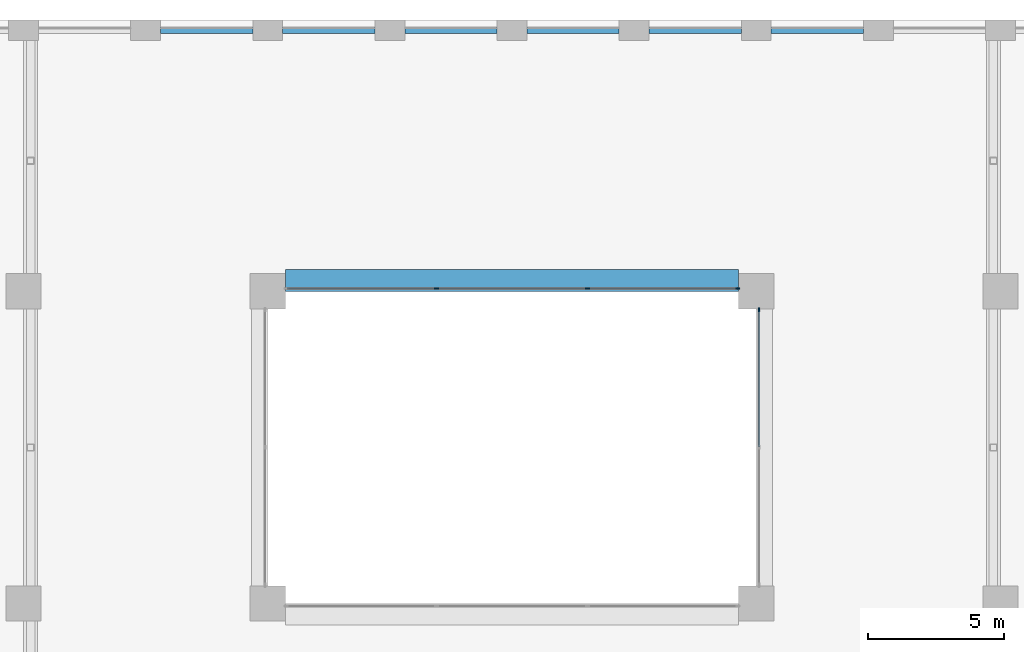
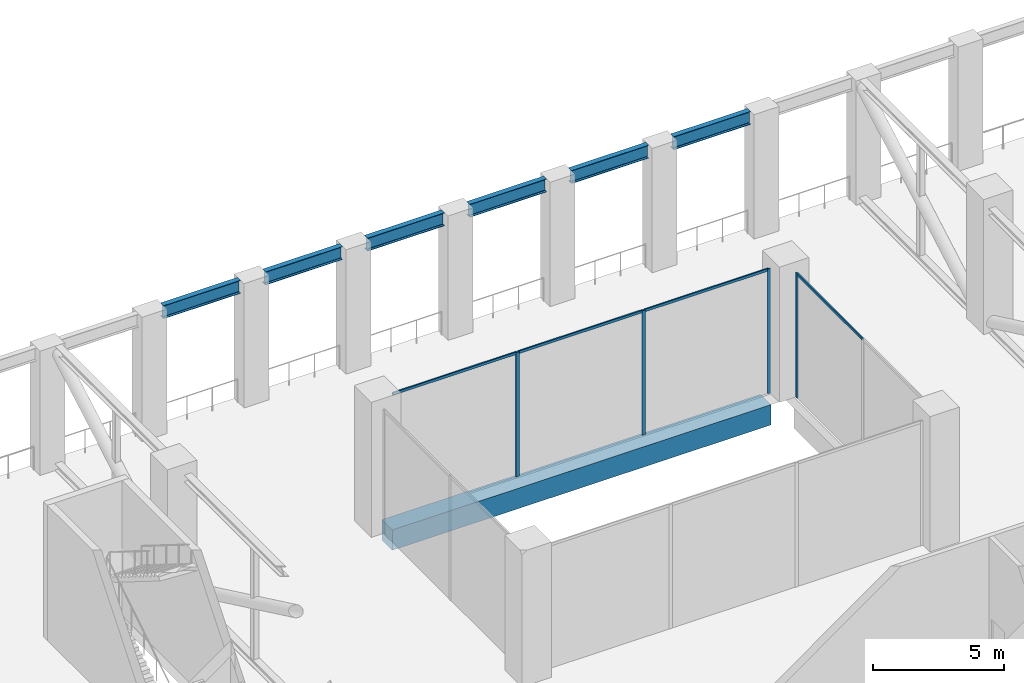
# One storey, part 7 of 14: 8 members, 7 beams, 2 elements without a shape of their own.
"""IFC4 building model written with IfcOpenShell, lengths in metres."""

from ifc_helpers import new_model, si_unit, direction, frame, origin, origin_2d, place, context, subcontext, project, spatial, rectangle, i_section, extrude, material, layer, layer_set, material_profile, profile_set, type_object, element, aggregate, save


model = new_model("IFC4")

# Units and contexts
model_context = context("Model", 3, precision=1e-05, world=origin(), true_north=direction((0.0, 1.0)))
body_context = subcontext(model_context, "Body", "Model", "MODEL_VIEW")
ifc_project = project(units=[si_unit("LENGTHUNIT", "METRE"), si_unit("AREAUNIT", "SQUARE_METRE"), si_unit("VOLUMEUNIT", "CUBIC_METRE"), si_unit("PLANEANGLEUNIT", "RADIAN"), si_unit("MASSUNIT", "GRAM", prefix="KILO")], contexts=[model_context])

# Site, building, storey
site_placement = place(None, origin())
site = spatial("IfcSite", under=ifc_project, at=site_placement, CompositionType="ELEMENT")
building_placement = place(site_placement, origin())
building = spatial("IfcBuilding", under=site, at=building_placement, Name="Brigalow Station Residences", CompositionType="ELEMENT")
storey_placement = place(building_placement, frame((0.0, 0.0, 130.800048828125)))
storey = spatial("IfcBuildingStorey", under=building, at=storey_placement, Name="L38", CompositionType="ELEMENT", Elevation=130.800048828125)

# Beam
ifc_material_1 = material(Name="Concrete C65", Category="concrete")
ifc_material_profile_1 = material_profile(ifc_material_1, rectangle(XDim=0.800048828125, YDim=0.949951171875, at=origin_2d()), Name="RC800x950")
ifc_profile_set_1 = profile_set([ifc_material_profile_1], Name="Concrete C65")
beam_type_1 = type_object("IfcBeamType", Name="ATRIUM EDGE GIRDER OVER 13.5 M SPAN 800x950 C65", PredefinedType="BEAM", material=ifc_profile_set_1)
beam_placement = place(storey_placement, frame((27.64990234375, 35.89990234375, -0.97509765625), z_axis=(1.0, 0.0, 0.0), x_axis=(0.0, 1.0, 0.0)))
element("IfcBeam", 1, at=beam_placement, inside=storey, type_object=beam_type_1, Name="ATRIUM EDGE GIRDER D L38", PredefinedType="BEAM", context=body_context, shape_type="SweptSolid", body=[
    extrude(rectangle(XDim=0.800048828125, YDim=0.949951171875, at=origin_2d()), origin(), (0.0, 0.0, 1.0), 16.7001953125),
])

# Curtain wall, member
ifc_material_2 = material(Name="Aluminium", Category="aluminium")
ifc_layer = layer(ifc_material_2, 0.14990234375)
ifc_layer_set = layer_set([ifc_layer], Name="ATRIUM FIRE-RATED GLAZING CURTAIN WALL")
curtain_wall_type = type_object("IfcCurtainWallType", Name="ATRIUM FIRE-RATED GLAZING CURTAIN WALL", PredefinedType="NOTDEFINED", material=ifc_layer_set)
curtain_wall_1_placement = place(storey_placement, origin())
curtain_wall_1 = element("IfcCurtainWall", 2, at=curtain_wall_1_placement, inside=storey, type_object=curtain_wall_type, Name="L38/cw/atrium-E", PredefinedType="NOTDEFINED")
ifc_material_3 = material(Name="Aluminium", Category="aluminium")
ifc_material_profile_2 = material_profile(ifc_material_3, rectangle(XDim=0.06005859375, YDim=0.14990234375, at=origin_2d()), Name="ATRIUM FIRE-RATED GLAZING MULLION 60x150")
ifc_profile_set_2 = profile_set([ifc_material_profile_2], Name="Aluminium")
member_type_1 = type_object("IfcMemberType", Name="ATRIUM FIRE-RATED GLAZING MULLION 60x150", PredefinedType="MULLION", material=ifc_profile_set_2)
member_1_placement = place(storey_placement, frame((45.10009765625, 34.820068359375, 0.0), z_axis=(0.0, 0.0, 1.0), x_axis=(-1.0, 0.0, 0.0)))
member_1 = element("IfcMember", 3, at=member_1_placement, type_object=member_type_1, Name="L38/cw/atrium-E/M02", PredefinedType="MULLION", context=body_context, shape_type="SweptSolid", body=[
    extrude(rectangle(XDim=0.06005859375, YDim=0.14990234375, at=origin_2d()), origin(), (0.0, 0.0, 1.0), 5.800048828125),
])

# Curtain wall, members
curtain_wall_2_placement = place(storey_placement, origin())
curtain_wall_2 = element("IfcCurtainWall", 4, at=curtain_wall_2_placement, inside=storey, type_object=curtain_wall_type, Name="L38/cw/atrium-N", PredefinedType="NOTDEFINED")
member_2_placement = place(storey_placement, frame((44.320068359375, 35.60009765625, 0.0), z_axis=(0.0, 0.0, 1.0), x_axis=(0.0, -1.0, 0.0)))
member_2 = element("IfcMember", 5, at=member_2_placement, type_object=member_type_1, Name="L38/cw/atrium-N/M00", PredefinedType="MULLION", context=body_context, shape_type="SweptSolid", body=[
    extrude(rectangle(XDim=0.06005859375, YDim=0.14990234375, at=origin_2d()), origin(), (0.0, 0.0, 1.0), 5.800048828125),
])
member_3_placement = place(storey_placement, frame((38.783203125, 35.60009765625, 0.0), z_axis=(0.0, 0.0, 1.0), x_axis=(0.0, -1.0, 0.0)))
member_3 = element("IfcMember", 6, at=member_3_placement, type_object=member_type_1, Name="L38/cw/atrium-N/M01", PredefinedType="MULLION", context=body_context, shape_type="SweptSolid", body=[
    extrude(rectangle(XDim=0.06005859375, YDim=0.14990234375, at=origin_2d()), origin(), (0.0, 0.0, 1.0), 5.800048828125),
])
member_4_placement = place(storey_placement, frame((33.216796875, 35.60009765625, 0.0), z_axis=(0.0, 0.0, 1.0), x_axis=(0.0, -1.0, 0.0)))
member_4 = element("IfcMember", 7, at=member_4_placement, type_object=member_type_1, Name="L38/cw/atrium-N/M02", PredefinedType="MULLION", context=body_context, shape_type="SweptSolid", body=[
    extrude(rectangle(XDim=0.06005859375, YDim=0.14990234375, at=origin_2d()), origin(), (0.0, 0.0, 1.0), 5.800048828125),
])

# Member
ifc_material_4 = material(Name="Aluminium", Category="aluminium")
ifc_material_profile_3 = material_profile(ifc_material_4, rectangle(XDim=0.06005859375, YDim=0.1201171875, at=origin_2d()), Name="ATRIUM FIRE-RATED GLAZING TRANSOM 60x120")
ifc_profile_set_3 = profile_set([ifc_material_profile_3], Name="Aluminium")
member_type_2 = type_object("IfcMemberType", Name="ATRIUM FIRE-RATED GLAZING TRANSOM 60x120", PredefinedType="USERDEFINED", material=ifc_profile_set_3)
member_5_placement = place(storey_placement, frame((45.10009765625, 29.780029296875, 5.77001953125), z_axis=(0.0, 1.0, 0.0), x_axis=(-1.0, 0.0, 0.0)))
member_5 = element("IfcMember", 8, at=member_5_placement, type_object=member_type_2, Name="L38/cw/atrium-E/T01-00", ObjectType="TRANSOM", PredefinedType="USERDEFINED", context=body_context, shape_type="SweptSolid", body=[
    extrude(rectangle(XDim=0.06005859375, YDim=0.1201171875, at=origin_2d()), origin(), (0.0, 0.0, 1.0), 5.010009765625),
])

aggregate(curtain_wall_1, [member_1, member_5])

member_6_placement = place(storey_placement, frame((44.2900390625, 35.60009765625, 5.77001953125), z_axis=(-1.0, 0.0, 0.0), x_axis=(0.0, -1.0, 0.0)))
member_6 = element("IfcMember", 9, at=member_6_placement, type_object=member_type_2, Name="L38/cw/atrium-N/T00-00", ObjectType="TRANSOM", PredefinedType="USERDEFINED", context=body_context, shape_type="SweptSolid", body=[
    extrude(rectangle(XDim=0.06005859375, YDim=0.1201171875, at=origin_2d()), origin(), (0.0, 0.0, 1.0), 5.476806640625),
])

member_7_placement = place(storey_placement, frame((38.75341796875, 35.60009765625, 5.77001953125), z_axis=(-1.0, 0.0, 0.0), x_axis=(0.0, -1.0, 0.0)))
member_7 = element("IfcMember", 10, at=member_7_placement, type_object=member_type_2, Name="L38/cw/atrium-N/T01-00", ObjectType="TRANSOM", PredefinedType="USERDEFINED", context=body_context, shape_type="SweptSolid", body=[
    extrude(rectangle(XDim=0.06005859375, YDim=0.1201171875, at=origin_2d()), origin(), (0.0, 0.0, 1.0), 5.5068359375),
])

member_8_placement = place(storey_placement, frame((33.186767578125, 35.60009765625, 5.77001953125), z_axis=(-1.0, 0.0, 0.0), x_axis=(0.0, -1.0, 0.0)))
member_8 = element("IfcMember", 11, at=member_8_placement, type_object=member_type_2, Name="L38/cw/atrium-N/T02-00", ObjectType="TRANSOM", PredefinedType="USERDEFINED", context=body_context, shape_type="SweptSolid", body=[
    extrude(rectangle(XDim=0.06005859375, YDim=0.1201171875, at=origin_2d()), origin(), (0.0, 0.0, 1.0), 5.476806640625),
])

aggregate(curtain_wall_2, [member_2, member_3, member_4, member_6, member_7, member_8])

# Beams
ifc_material_5 = material(Name="Steel Grade 300 to AS/NZS 3679.1", Category="steel")
ifc_material_profile_4 = material_profile(ifc_material_5, i_section(OverallWidth=0.22900390625, OverallDepth=0.611572265625, WebThickness=0.011962890625, FlangeThickness=0.01953125, FilletRadius=0.013916015625, at=origin_2d()), Name="610UB125")
ifc_profile_set_4 = profile_set([ifc_material_profile_4], Name="Steel Grade 300 to AS/NZS 3679.1")
beam_type_2 = type_object("IfcBeamType", Name="BELT GIRDER 610UB125", PredefinedType="USERDEFINED", material=ifc_profile_set_4)
for number, where, z_axis, x_axis, name in (
    (12, (48.949951171875, 45.125, 5.494140625), (-1.0, 0.0, 0.0), (0.0, -1.0, 0.0), "BELT GIRDER 25 L38"),
    (13, (44.449951171875, 45.125, 5.494140625), (-1.0, 0.0, 0.0), (0.0, -1.0, 0.0), "BELT GIRDER 26 L38"),
    (14, (39.949951171875, 45.125, 5.494140625), (-1.0, 0.0, 0.0), (0.0, -1.0, 0.0), "BELT GIRDER 27 L38"),
    (15, (35.449951171875, 45.125, 5.494140625), (-1.0, 0.0, 0.0), (0.0, -1.0, 0.0), "BELT GIRDER 28 L38"),
    (16, (30.949951171875, 45.125, 5.494140625), (-1.0, 0.0, 0.0), (0.0, -1.0, 0.0), "BELT GIRDER 29 L38"),
    (17, (26.449951171875, 45.125, 5.494140625), (-1.0, 0.0, 0.0), (0.0, -1.0, 0.0), "BELT GIRDER 30 L38"),
):
    element("IfcBeam", number, at=place(storey_placement, frame(where, z_axis=z_axis, x_axis=x_axis)), inside=storey, type_object=beam_type_2, Name=name, ObjectType="BELT GIRDER", PredefinedType="USERDEFINED", context=body_context, shape_type="SweptSolid", body=[
        extrude(i_section(OverallWidth=0.22900390625, OverallDepth=0.611572265625, WebThickness=0.011962890625, FlangeThickness=0.01953125, FilletRadius=0.013916015625, at=origin_2d()), origin(), (0.0, 0.0, 1.0), 3.39990234375),
    ])

save(model, "model.ifc")
